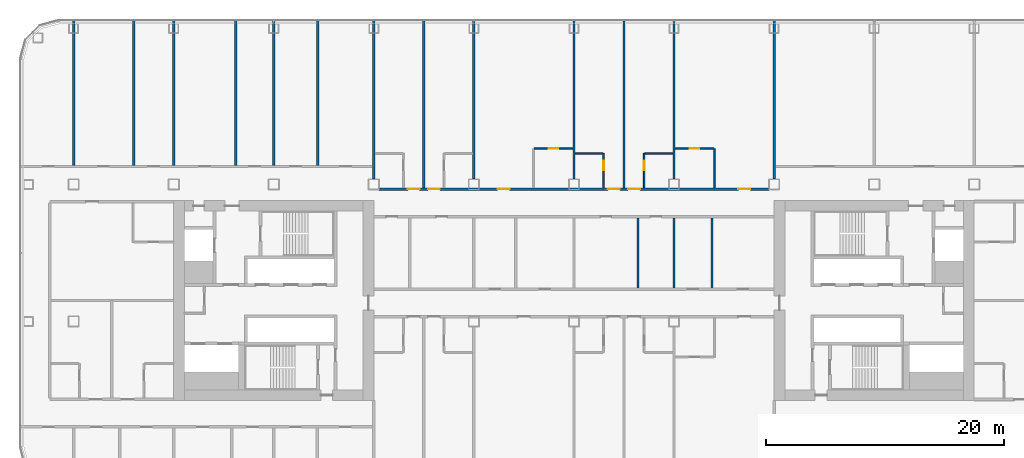
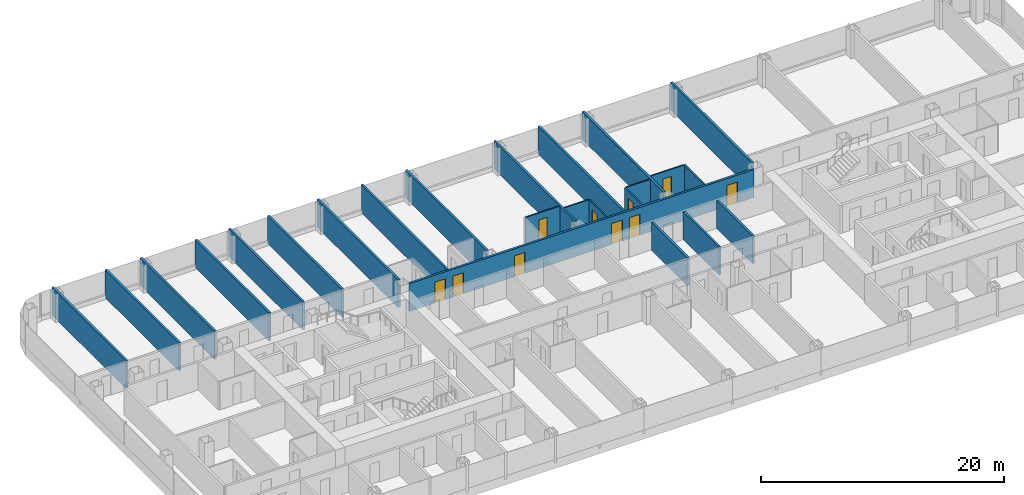
# One storey, part 18 of 29: 24 walls, 10 doors, 10 openings.
"""IFC4 building model written with IfcOpenShell, lengths in metres."""

from ifc_helpers import new_model, si_unit, direction, frame, frame_2d, origin, place, context, subcontext, project, spatial, rectangle, extrude, material, layer, layer_set, type_object, element, fill, save


model = new_model("IFC4")

# Units and contexts
model_context = context("Model", 3, precision=1e-05, world=origin(), true_north=direction((0.0, 1.0)))
body_context = subcontext(model_context, "Body", "Model", "MODEL_VIEW")
ifc_project = project(units=[si_unit("LENGTHUNIT", "METRE"), si_unit("AREAUNIT", "SQUARE_METRE"), si_unit("VOLUMEUNIT", "CUBIC_METRE"), si_unit("PLANEANGLEUNIT", "RADIAN"), si_unit("MASSUNIT", "GRAM", prefix="KILO")], contexts=[model_context])

# Site, building, storey
site_placement = place(None, origin())
site = spatial("IfcSite", under=ifc_project, at=site_placement, CompositionType="ELEMENT")
building_placement = place(site_placement, origin())
building = spatial("IfcBuilding", under=site, at=building_placement, Name="Hakoniwa Tower and Hamabe Station Hall", CompositionType="ELEMENT")
storey_placement = place(building_placement, frame((0.0, 0.0, 85.0)))
storey = spatial("IfcBuildingStorey", under=building, at=storey_placement, Name="L23", CompositionType="ELEMENT", Elevation=85.0)

# Walls
ifc_material_1 = material(Name="Gypsum board partition", Category="gypsum")
ifc_layer_1 = layer(ifc_material_1, 0.125)
ifc_layer_set_1 = layer_set([ifc_layer_1], Name="Bathroom Partition 125")
wall_type_1 = type_object("IfcWallType", Name="Bathroom Partition 125", PredefinedType="PARTITIONING", material=ifc_layer_set_1)
wall_1_placement = place(storey_placement, frame((0.10009765625, 12.35009765625, 0.0), z_axis=(0.0, 0.0, 1.0), x_axis=(1.0, 0.0, 0.0)))
element("IfcWall", 1, at=wall_1_placement, inside=storey, type_object=wall_type_1, Name="GW-L23-028", PredefinedType="PARTITIONING", context=body_context, shape_type="SweptSolid", body=[
    extrude(rectangle(XDim=2.33740234375, YDim=0.125, at=frame_2d((1.168701171875, 0.0))), origin(), (0.0, 0.0, 1.0), 2.800048828125),
])
wall_2_placement = place(storey_placement, frame((5.96240234375, 12.35009765625, 0.0), z_axis=(0.0, 0.0, 1.0), x_axis=(1.0, 0.0, 0.0)))
element("IfcWall", 2, at=wall_2_placement, inside=storey, type_object=wall_type_1, Name="GW-L23-029", PredefinedType="PARTITIONING", context=body_context, shape_type="SweptSolid", body=[
    extrude(rectangle(XDim=2.337646484375, YDim=0.125, at=frame_2d((1.1689453125, 0.0))), origin(), (0.0, 0.0, 1.0), 2.800048828125),
])

# Wall, opening, door
wall_3_placement = place(storey_placement, frame((-3.33740234375, 12.75, 0.0), z_axis=(0.0, 0.0, 1.0), x_axis=(1.0, 0.0, 0.0)))
wall_3 = element("IfcWall", 3, at=wall_3_placement, inside=storey, type_object=wall_type_1, Name="GW-L23-030", PredefinedType="PARTITIONING", context=body_context, shape_type="SweptSolid", body=[
    extrude(rectangle(XDim=3.2373046875, YDim=0.125, at=frame_2d((1.61865234375, 0.0))), origin(), (0.0, 0.0, 1.0), 2.800048828125),
])
opening_1_placement = place(wall_3_placement, frame((1.237548828125, 0.0, 0.0)))
opening_1 = element("IfcOpeningElement", 4, at=opening_1_placement, cuts=wall_3, Name="Opening GD-G2D0-55", PredefinedType="OPENING", context=body_context, shape_type="SweptSolid", body=[
    extrude(rectangle(XDim=0.800048828125, YDim=2.10009765625, at=frame_2d((0.39990234375, 1.050048828125))), frame((0.0, 0.072509765625, 0.0), z_axis=(0.0, -1.0, 0.0), x_axis=(1.0, 0.0, 0.0)), (0.0, 0.0, 1.0), 0.14501953125),
])
ifc_material_2 = material(Name="Timber door leaf", Category="wood")
door_type_1 = type_object("IfcDoorType", Name="Bathroom Door 800", OperationType="SINGLE_SWING_LEFT", PredefinedType="DOOR", material=ifc_material_2)
door_1_placement = place(opening_1_placement, origin())
door_1 = element("IfcDoor", 5, at=door_1_placement, inside=storey, type_object=door_type_1, Name="Door GD-G2D0-55", OperationType="SINGLE_SWING_RIGHT", OverallHeight=2.10009765625, OverallWidth=0.800048828125, PredefinedType="DOOR", context=body_context, shape_type="SweptSolid", body=[
    extrude(rectangle(XDim=0.800048828125, YDim=2.10009765625, at=frame_2d((0.39990234375, 1.050048828125))), frame((0.0, 0.02490234375, 0.0), z_axis=(0.0, -1.0, 0.0), x_axis=(1.0, 0.0, 0.0)), (0.0, 0.0, 1.0), 0.050048828125),
])
fill(opening_1, door_1)

wall_4_placement = place(storey_placement, frame((8.5, 12.75, 0.0), z_axis=(0.0, 0.0, 1.0), x_axis=(1.0, 0.0, 0.0)))
wall_4 = element("IfcWall", 6, at=wall_4_placement, inside=storey, type_object=wall_type_1, Name="GW-L23-031", PredefinedType="PARTITIONING", context=body_context, shape_type="SweptSolid", body=[
    extrude(rectangle(XDim=3.237548828125, YDim=0.125, at=frame_2d((1.61865234375, 0.0))), origin(), (0.0, 0.0, 1.0), 2.800048828125),
])
opening_2_placement = place(wall_4_placement, frame((1.199951171875, 0.0, 0.0)))
opening_2 = element("IfcOpeningElement", 7, at=opening_2_placement, cuts=wall_4, Name="Opening GD-G2D0-56", PredefinedType="OPENING", context=body_context, shape_type="SweptSolid", body=[
    extrude(rectangle(XDim=0.800048828125, YDim=2.10009765625, at=frame_2d((0.39990234375, 1.050048828125))), frame((0.0, 0.072509765625, 0.0), z_axis=(0.0, -1.0, 0.0), x_axis=(1.0, 0.0, 0.0)), (0.0, 0.0, 1.0), 0.14501953125),
])
door_2_placement = place(opening_2_placement, origin())
door_2 = element("IfcDoor", 8, at=door_2_placement, inside=storey, type_object=door_type_1, Name="Door GD-G2D0-56", OperationType="SINGLE_SWING_LEFT", OverallHeight=2.10009765625, OverallWidth=0.800048828125, PredefinedType="DOOR", context=body_context, shape_type="SweptSolid", body=[
    extrude(rectangle(XDim=0.800048828125, YDim=2.10009765625, at=frame_2d((0.39990234375, 1.050048828125))), frame((0.0, 0.02490234375, 0.0), z_axis=(0.0, -1.0, 0.0), x_axis=(1.0, 0.0, 0.0)), (0.0, 0.0, 1.0), 0.050048828125),
])
fill(opening_2, door_2)

wall_5_placement = place(storey_placement, frame((2.5, 9.449951171875, 0.0), z_axis=(0.0, 0.0, 1.0), x_axis=(0.0, 1.0, 0.0)))
wall_5 = element("IfcWall", 9, at=wall_5_placement, inside=storey, type_object=wall_type_1, Name="GW-L23-067", PredefinedType="PARTITIONING", context=body_context, shape_type="SweptSolid", body=[
    extrude(rectangle(XDim=2.900146484375, YDim=0.125, at=frame_2d((1.4501953125, 0.0))), origin(), (0.0, 0.0, 1.0), 2.800048828125),
])
opening_3_placement = place(wall_5_placement, frame((1.5, 0.0, 0.0)))
opening_3 = element("IfcOpeningElement", 10, at=opening_3_placement, cuts=wall_5, Name="Opening GD-G2D0-64", PredefinedType="OPENING", context=body_context, shape_type="SweptSolid", body=[
    extrude(rectangle(XDim=0.800048828125, YDim=2.10009765625, at=frame_2d((0.39990234375, 1.050048828125))), frame((0.0, 0.072509765625, 0.0), z_axis=(0.0, -1.0, 0.0), x_axis=(1.0, 0.0, 0.0)), (0.0, 0.0, 1.0), 0.14501953125),
])
door_3_placement = place(opening_3_placement, origin())
door_3 = element("IfcDoor", 11, at=door_3_placement, inside=storey, type_object=door_type_1, Name="Door GD-G2D0-64", OperationType="SINGLE_SWING_LEFT", OverallHeight=2.10009765625, OverallWidth=0.800048828125, PredefinedType="DOOR", context=body_context, shape_type="SweptSolid", body=[
    extrude(rectangle(XDim=0.800048828125, YDim=2.10009765625, at=frame_2d((0.39990234375, 1.050048828125))), frame((0.0, 0.02490234375, 0.0), z_axis=(0.0, -1.0, 0.0), x_axis=(1.0, 0.0, 0.0)), (0.0, 0.0, 1.0), 0.050048828125),
])
fill(opening_3, door_3)

wall_6_placement = place(storey_placement, frame((5.89990234375, 9.449951171875, 0.0), z_axis=(0.0, 0.0, 1.0), x_axis=(0.0, 1.0, 0.0)))
wall_6 = element("IfcWall", 12, at=wall_6_placement, inside=storey, type_object=wall_type_1, Name="GW-L23-072", PredefinedType="PARTITIONING", context=body_context, shape_type="SweptSolid", body=[
    extrude(rectangle(XDim=2.900146484375, YDim=0.125, at=frame_2d((1.4501953125, 0.0))), origin(), (0.0, 0.0, 1.0), 2.800048828125),
])
opening_4_placement = place(wall_6_placement, frame((1.5, 0.0, 0.0)))
opening_4 = element("IfcOpeningElement", 13, at=opening_4_placement, cuts=wall_6, Name="Opening GD-G2D0-66", PredefinedType="OPENING", context=body_context, shape_type="SweptSolid", body=[
    extrude(rectangle(XDim=0.800048828125, YDim=2.10009765625, at=frame_2d((0.39990234375, 1.050048828125))), frame((0.0, 0.072509765625, 0.0), z_axis=(0.0, -1.0, 0.0), x_axis=(1.0, 0.0, 0.0)), (0.0, 0.0, 1.0), 0.14501953125),
])
door_4_placement = place(opening_4_placement, origin())
door_4 = element("IfcDoor", 14, at=door_4_placement, inside=storey, type_object=door_type_1, Name="Door GD-G2D0-66", OperationType="SINGLE_SWING_RIGHT", OverallHeight=2.10009765625, OverallWidth=0.800048828125, PredefinedType="DOOR", context=body_context, shape_type="SweptSolid", body=[
    extrude(rectangle(XDim=0.800048828125, YDim=2.10009765625, at=frame_2d((0.39990234375, 1.050048828125))), frame((0.0, 0.02490234375, 0.0), z_axis=(0.0, -1.0, 0.0), x_axis=(1.0, 0.0, 0.0)), (0.0, 0.0, 1.0), 0.050048828125),
])
fill(opening_4, door_4)

# Wall
wall_7_placement = place(storey_placement, frame((11.800048828125, 9.449951171875, 0.0), z_axis=(0.0, 0.0, 1.0), x_axis=(0.0, 1.0, 0.0)))
element("IfcWall", 15, at=wall_7_placement, inside=storey, type_object=wall_type_1, Name="GW-L23-078", PredefinedType="PARTITIONING", context=body_context, shape_type="SweptSolid", body=[
    extrude(rectangle(XDim=3.300048828125, YDim=0.125, at=frame_2d((1.64990234375, 0.0))), origin(), (0.0, 0.0, 1.0), 2.800048828125),
])

# Wall, openings, doors
ifc_material_3 = material(Name="Fire-rated gypsum board partition", Category="gypsum")
ifc_layer_2 = layer(ifc_material_3, 0.199951171875)
ifc_layer_set_2 = layer_set([ifc_layer_2], Name="Corridor Wall 200")
wall_type_2 = type_object("IfcWallType", Name="Corridor Wall 200", PredefinedType="PARTITIONING", material=ifc_layer_set_2)
wall_8_placement = place(storey_placement, frame((-16.360107421875, 9.35009765625, 0.0), z_axis=(0.0, 0.0, 1.0), x_axis=(1.0, 0.0, 0.0)))
wall_8 = element("IfcWall", 16, at=wall_8_placement, inside=storey, type_object=wall_type_2, Name="GW-L23-023", PredefinedType="PARTITIONING", context=body_context, shape_type="SweptSolid", body=[
    extrude(rectangle(XDim=32.72021484375, YDim=0.199951171875, at=frame_2d((16.360107421875, 0.0))), origin(), (0.0, 0.0, 1.0), 2.800048828125),
])
opening_5_placement = place(wall_8_placement, frame((2.409912109375, 0.0, 0.0)))
opening_5 = element("IfcOpeningElement", 17, at=opening_5_placement, cuts=wall_8, Name="Opening GD-G2D0-38", PredefinedType="OPENING", context=body_context, shape_type="SweptSolid", body=[
    extrude(rectangle(XDim=1.0, YDim=2.10009765625, at=frame_2d((0.5, 1.050048828125))), frame((0.0, 0.10986328125, 0.0), z_axis=(0.0, -1.0, 0.0), x_axis=(1.0, 0.0, 0.0)), (0.0, 0.0, 1.0), 0.219970703125),
])
opening_6_placement = place(wall_8_placement, frame((4.110107421875, 0.0, 0.0)))
opening_6 = element("IfcOpeningElement", 18, at=opening_6_placement, cuts=wall_8, Name="Opening GD-G2D0-39", PredefinedType="OPENING", context=body_context, shape_type="SweptSolid", body=[
    extrude(rectangle(XDim=1.0, YDim=2.10009765625, at=frame_2d((0.5, 1.050048828125))), frame((0.0, 0.10986328125, 0.0), z_axis=(0.0, -1.0, 0.0), x_axis=(1.0, 0.0, 0.0)), (0.0, 0.0, 1.0), 0.219970703125),
])
opening_7_placement = place(wall_8_placement, frame((9.9599609375, 0.0, 0.0)))
opening_7 = element("IfcOpeningElement", 19, at=opening_7_placement, cuts=wall_8, Name="Opening GD-G2D0-40", PredefinedType="OPENING", context=body_context, shape_type="SweptSolid", body=[
    extrude(rectangle(XDim=1.0, YDim=2.10009765625, at=frame_2d((0.5, 1.050048828125))), frame((0.0, 0.10986328125, 0.0), z_axis=(0.0, -1.0, 0.0), x_axis=(1.0, 0.0, 0.0)), (0.0, 0.0, 1.0), 0.219970703125),
])
opening_8_placement = place(wall_8_placement, frame((19.2099609375, 0.0, 0.0)))
opening_8 = element("IfcOpeningElement", 20, at=opening_8_placement, cuts=wall_8, Name="Opening GD-G2D0-41", PredefinedType="OPENING", context=body_context, shape_type="SweptSolid", body=[
    extrude(rectangle(XDim=1.0, YDim=2.10009765625, at=frame_2d((0.5, 1.050048828125))), frame((0.0, 0.10986328125, 0.0), z_axis=(0.0, -1.0, 0.0), x_axis=(1.0, 0.0, 0.0)), (0.0, 0.0, 1.0), 0.219970703125),
])
opening_9_placement = place(wall_8_placement, frame((20.909912109375, 0.0, 0.0)))
opening_9 = element("IfcOpeningElement", 21, at=opening_9_placement, cuts=wall_8, Name="Opening GD-G2D0-42", PredefinedType="OPENING", context=body_context, shape_type="SweptSolid", body=[
    extrude(rectangle(XDim=1.0, YDim=2.10009765625, at=frame_2d((0.5, 1.050048828125))), frame((0.0, 0.10986328125, 0.0), z_axis=(0.0, -1.0, 0.0), x_axis=(1.0, 0.0, 0.0)), (0.0, 0.0, 1.0), 0.219970703125),
])
opening_10_placement = place(wall_8_placement, frame((30.159912109375, 0.0, 0.0)))
opening_10 = element("IfcOpeningElement", 22, at=opening_10_placement, cuts=wall_8, Name="Opening GD-G2D0-43", PredefinedType="OPENING", context=body_context, shape_type="SweptSolid", body=[
    extrude(rectangle(XDim=1.0, YDim=2.10009765625, at=frame_2d((0.5, 1.050048828125))), frame((0.0, 0.10986328125, 0.0), z_axis=(0.0, -1.0, 0.0), x_axis=(1.0, 0.0, 0.0)), (0.0, 0.0, 1.0), 0.219970703125),
])
ifc_material_4 = material(Name="Timber door leaf", Category="wood")
door_type_2 = type_object("IfcDoorType", Name="Guest Entrance Door 1000", OperationType="SINGLE_SWING_LEFT", PredefinedType="DOOR", material=ifc_material_4)
door_5_placement = place(opening_5_placement, origin())
door_5 = element("IfcDoor", 23, at=door_5_placement, inside=storey, type_object=door_type_2, Name="Door GD-G2D0-38", OperationType="SINGLE_SWING_RIGHT", OverallHeight=2.10009765625, OverallWidth=1.0, PredefinedType="DOOR", context=body_context, shape_type="SweptSolid", body=[
    extrude(rectangle(XDim=1.0, YDim=2.10009765625, at=frame_2d((0.5, 1.050048828125))), frame((0.0, 0.02490234375, 0.0), z_axis=(0.0, -1.0, 0.0), x_axis=(1.0, 0.0, 0.0)), (0.0, 0.0, 1.0), 0.050048828125),
])
fill(opening_5, door_5)
door_6_placement = place(opening_6_placement, origin())
door_6 = element("IfcDoor", 24, at=door_6_placement, inside=storey, type_object=door_type_2, Name="Door GD-G2D0-39", OperationType="SINGLE_SWING_LEFT", OverallHeight=2.10009765625, OverallWidth=1.0, PredefinedType="DOOR", context=body_context, shape_type="SweptSolid", body=[
    extrude(rectangle(XDim=1.0, YDim=2.10009765625, at=frame_2d((0.5, 1.050048828125))), frame((0.0, 0.02490234375, 0.0), z_axis=(0.0, -1.0, 0.0), x_axis=(1.0, 0.0, 0.0)), (0.0, 0.0, 1.0), 0.050048828125),
])
fill(opening_6, door_6)
door_7_placement = place(opening_7_placement, origin())
door_7 = element("IfcDoor", 25, at=door_7_placement, inside=storey, type_object=door_type_2, Name="Door GD-G2D0-40", OperationType="SINGLE_SWING_LEFT", OverallHeight=2.10009765625, OverallWidth=1.0, PredefinedType="DOOR", context=body_context, shape_type="SweptSolid", body=[
    extrude(rectangle(XDim=1.0, YDim=2.10009765625, at=frame_2d((0.5, 1.050048828125))), frame((0.0, 0.02490234375, 0.0), z_axis=(0.0, -1.0, 0.0), x_axis=(1.0, 0.0, 0.0)), (0.0, 0.0, 1.0), 0.050048828125),
])
fill(opening_7, door_7)
door_8_placement = place(opening_8_placement, origin())
door_8 = element("IfcDoor", 26, at=door_8_placement, inside=storey, type_object=door_type_2, Name="Door GD-G2D0-41", OperationType="SINGLE_SWING_RIGHT", OverallHeight=2.10009765625, OverallWidth=1.0, PredefinedType="DOOR", context=body_context, shape_type="SweptSolid", body=[
    extrude(rectangle(XDim=1.0, YDim=2.10009765625, at=frame_2d((0.5, 1.050048828125))), frame((0.0, 0.02490234375, 0.0), z_axis=(0.0, -1.0, 0.0), x_axis=(1.0, 0.0, 0.0)), (0.0, 0.0, 1.0), 0.050048828125),
])
fill(opening_8, door_8)
door_9_placement = place(opening_9_placement, origin())
door_9 = element("IfcDoor", 27, at=door_9_placement, inside=storey, type_object=door_type_2, Name="Door GD-G2D0-42", OperationType="SINGLE_SWING_LEFT", OverallHeight=2.10009765625, OverallWidth=1.0, PredefinedType="DOOR", context=body_context, shape_type="SweptSolid", body=[
    extrude(rectangle(XDim=1.0, YDim=2.10009765625, at=frame_2d((0.5, 1.050048828125))), frame((0.0, 0.02490234375, 0.0), z_axis=(0.0, -1.0, 0.0), x_axis=(1.0, 0.0, 0.0)), (0.0, 0.0, 1.0), 0.050048828125),
])
fill(opening_9, door_9)
door_10_placement = place(opening_10_placement, origin())
door_10 = element("IfcDoor", 28, at=door_10_placement, inside=storey, type_object=door_type_2, Name="Door GD-G2D0-43", OperationType="SINGLE_SWING_RIGHT", OverallHeight=2.10009765625, OverallWidth=1.0, PredefinedType="DOOR", context=body_context, shape_type="SweptSolid", body=[
    extrude(rectangle(XDim=1.0, YDim=2.10009765625, at=frame_2d((0.5, 1.050048828125))), frame((0.0, 0.02490234375, 0.0), z_axis=(0.0, -1.0, 0.0), x_axis=(1.0, 0.0, 0.0)), (0.0, 0.0, 1.0), 0.050048828125),
])
fill(opening_10, door_10)

# Walls
ifc_material_5 = material(Name="Fire-rated gypsum board partition", Category="gypsum")
ifc_layer_3 = layer(ifc_material_5, 0.199951171875)
ifc_layer_set_3 = layer_set([ifc_layer_3], Name="Party Wall 200")
wall_type_3 = type_object("IfcWallType", Name="Party Wall 200", PredefinedType="PARTITIONING", material=ifc_layer_set_3)
for number, where, z_axis, x_axis, name in (
    (29, (-42.0, 11.35009765625, 0.0), (0.0, 0.0, 1.0), (0.0, 1.0, 0.0), "GW-L23-034"),
    (30, (-36.9599609375, 11.35009765625, 0.0), (0.0, 0.0, 1.0), (0.0, 1.0, 0.0), "GW-L23-039"),
    (31, (-33.60009765625, 11.35009765625, 0.0), (0.0, 0.0, 1.0), (0.0, 1.0, 0.0), "GW-L23-042"),
    (32, (-28.389892578125, 11.35009765625, 0.0), (0.0, 0.0, 1.0), (0.0, 1.0, 0.0), "GW-L23-044"),
    (33, (-25.199951171875, 11.35009765625, 0.0), (0.0, 0.0, 1.0), (0.0, 1.0, 0.0), "GW-L23-046"),
    (34, (-21.5, 11.35009765625, 0.0), (0.0, 0.0, 1.0), (0.0, 1.0, 0.0), "GW-L23-048"),
):
    element("IfcWall", number, at=place(storey_placement, frame(where, z_axis=z_axis, x_axis=x_axis)), inside=storey, type_object=wall_type_3, Name=name, PredefinedType="PARTITIONING", context=body_context, shape_type="SweptSolid", body=[
        extrude(rectangle(XDim=12.199951171875, YDim=0.199951171875, at=frame_2d((6.10009765625, 0.0))), origin(), (0.0, 0.0, 1.0), 2.800048828125),
    ])
wall_9_placement = place(storey_placement, frame((-16.800048828125, 10.18994140625, 0.0), z_axis=(0.0, 0.0, 1.0), x_axis=(0.0, 1.0, 0.0)))
element("IfcWall", 35, at=wall_9_placement, inside=storey, type_object=wall_type_3, Name="GW-L23-050", PredefinedType="PARTITIONING", context=body_context, shape_type="SweptSolid", body=[
    extrude(rectangle(XDim=13.360107421875, YDim=0.199951171875, at=frame_2d((6.68017578125, 0.0))), origin(), (0.0, 0.0, 1.0), 2.800048828125),
])
wall_10_placement = place(storey_placement, frame((-12.60009765625, 9.449951171875, 0.0), z_axis=(0.0, 0.0, 1.0), x_axis=(0.0, 1.0, 0.0)))
element("IfcWall", 36, at=wall_10_placement, inside=storey, type_object=wall_type_3, Name="GW-L23-055", PredefinedType="PARTITIONING", context=body_context, shape_type="SweptSolid", body=[
    extrude(rectangle(XDim=14.10009765625, YDim=0.199951171875, at=frame_2d((7.050048828125, 0.0))), origin(), (0.0, 0.0, 1.0), 2.800048828125),
])
for number, where, z_axis, x_axis, name in (
    (37, (-8.39990234375, 10.18994140625, 0.0), (0.0, 0.0, 1.0), (0.0, 1.0, 0.0), "GW-L23-060"),
    (38, (0.0, 10.18994140625, 0.0), (0.0, 0.0, 1.0), (0.0, 1.0, 0.0), "GW-L23-065"),
):
    element("IfcWall", number, at=place(storey_placement, frame(where, z_axis=z_axis, x_axis=x_axis)), inside=storey, type_object=wall_type_3, Name=name, PredefinedType="PARTITIONING", context=body_context, shape_type="SweptSolid", body=[
        extrude(rectangle(XDim=13.360107421875, YDim=0.199951171875, at=frame_2d((6.68017578125, 0.0))), origin(), (0.0, 0.0, 1.0), 2.800048828125),
    ])
wall_11_placement = place(storey_placement, frame((4.199951171875, 9.449951171875, 0.0), z_axis=(0.0, 0.0, 1.0), x_axis=(0.0, 1.0, 0.0)))
element("IfcWall", 39, at=wall_11_placement, inside=storey, type_object=wall_type_3, Name="GW-L23-069", PredefinedType="PARTITIONING", context=body_context, shape_type="SweptSolid", body=[
    extrude(rectangle(XDim=14.10009765625, YDim=0.199951171875, at=frame_2d((7.050048828125, 0.0))), origin(), (0.0, 0.0, 1.0), 2.800048828125),
])
for number, where, z_axis, x_axis, name in (
    (40, (5.3798828125, 1.050048828125, 0.0), (0.0, 0.0, 1.0), (0.0, 1.0, 0.0), "GW-L23-070"),
    (41, (8.39990234375, 1.050048828125, 0.0), (0.0, 0.0, 1.0), (0.0, 1.0, 0.0), "GW-L23-074"),
):
    element("IfcWall", number, at=place(storey_placement, frame(where, z_axis=z_axis, x_axis=x_axis)), inside=storey, type_object=wall_type_3, Name=name, PredefinedType="PARTITIONING", context=body_context, shape_type="SweptSolid", body=[
        extrude(rectangle(XDim=5.89990234375, YDim=0.199951171875, at=frame_2d((2.949951171875, 0.0))), origin(), (0.0, 0.0, 1.0), 2.800048828125),
    ])
wall_12_placement = place(storey_placement, frame((8.39990234375, 10.18994140625, 0.0), z_axis=(0.0, 0.0, 1.0), x_axis=(0.0, 1.0, 0.0)))
element("IfcWall", 42, at=wall_12_placement, inside=storey, type_object=wall_type_3, Name="GW-L23-075", PredefinedType="PARTITIONING", context=body_context, shape_type="SweptSolid", body=[
    extrude(rectangle(XDim=13.360107421875, YDim=0.199951171875, at=frame_2d((6.68017578125, 0.0))), origin(), (0.0, 0.0, 1.0), 2.800048828125),
])
wall_13_placement = place(storey_placement, frame((11.590087890625, 1.050048828125, 0.0), z_axis=(0.0, 0.0, 1.0), x_axis=(0.0, 1.0, 0.0)))
element("IfcWall", 43, at=wall_13_placement, inside=storey, type_object=wall_type_3, Name="GW-L23-076", PredefinedType="PARTITIONING", context=body_context, shape_type="SweptSolid", body=[
    extrude(rectangle(XDim=5.89990234375, YDim=0.199951171875, at=frame_2d((2.949951171875, 0.0))), origin(), (0.0, 0.0, 1.0), 2.800048828125),
])
wall_14_placement = place(storey_placement, frame((16.800048828125, 10.18994140625, 0.0), z_axis=(0.0, 0.0, 1.0), x_axis=(0.0, 1.0, 0.0)))
element("IfcWall", 44, at=wall_14_placement, inside=storey, type_object=wall_type_3, Name="GW-L23-080", PredefinedType="PARTITIONING", context=body_context, shape_type="SweptSolid", body=[
    extrude(rectangle(XDim=13.360107421875, YDim=0.199951171875, at=frame_2d((6.68017578125, 0.0))), origin(), (0.0, 0.0, 1.0), 2.800048828125),
])

save(model, "model.ifc")
